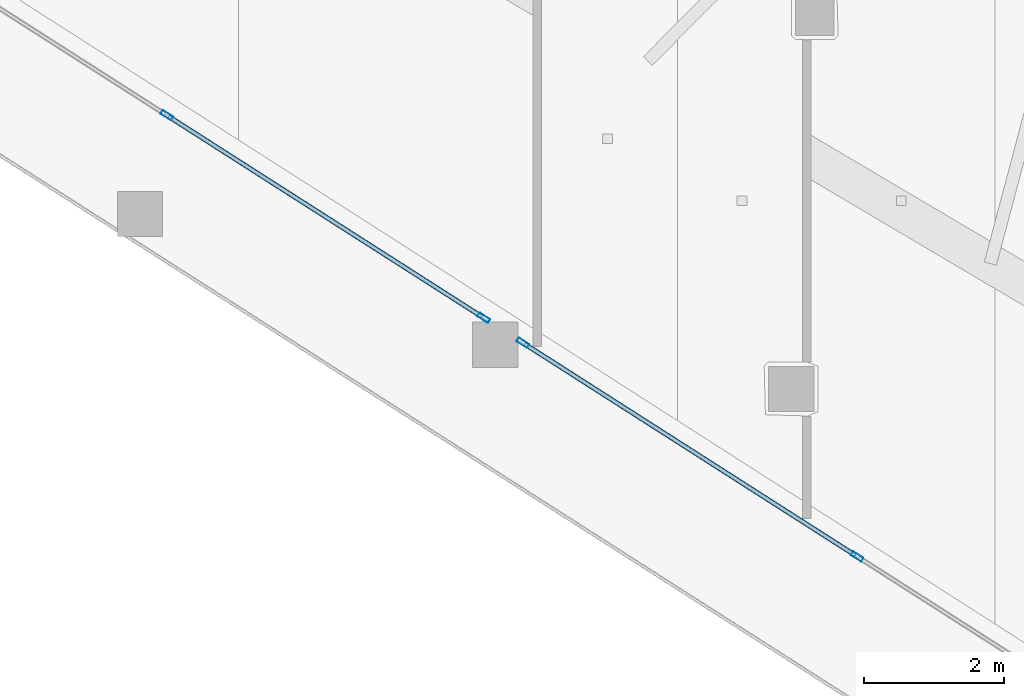
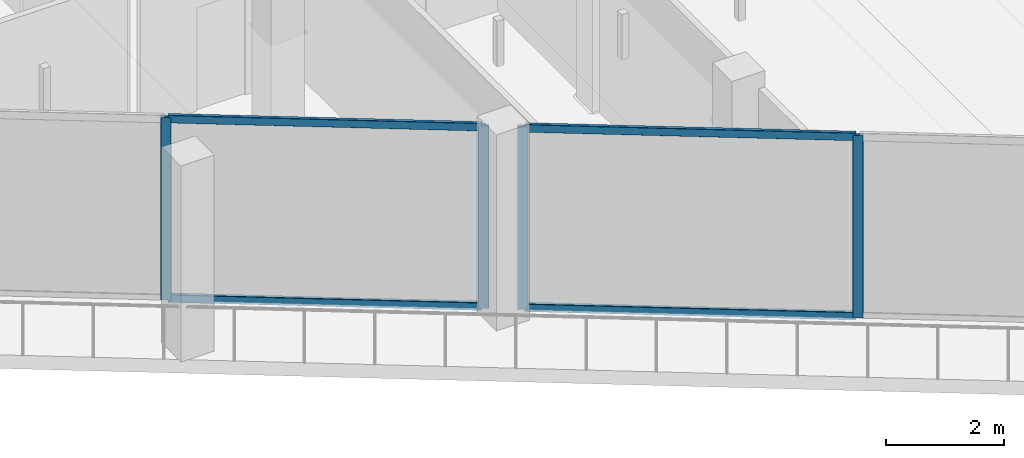
# One storey, part 2 of 45: 8 members, 2 elements without a shape of their own.
"""IFC4 building model written with IfcOpenShell, lengths in metres."""

from ifc_helpers import new_model, si_unit, direction, frame, origin, origin_2d, place, context, subcontext, project, spatial, hollow_rectangle, extrude, material, layer, layer_set, material_profile, profile_set, type_object, element, aggregate, save


model = new_model("IFC4")

# Units and contexts
model_context = context("Model", 3, precision=1e-05, world=origin(), true_north=direction((0.0, 1.0)))
body_context = subcontext(model_context, "Body", "Model", "MODEL_VIEW")
ifc_project = project(units=[si_unit("LENGTHUNIT", "METRE"), si_unit("AREAUNIT", "SQUARE_METRE"), si_unit("VOLUMEUNIT", "CUBIC_METRE"), si_unit("PLANEANGLEUNIT", "RADIAN"), si_unit("MASSUNIT", "GRAM", prefix="KILO")], contexts=[model_context])

# Site, building, storey
site_placement = place(None, origin())
site = spatial("IfcSite", under=ifc_project, at=site_placement, CompositionType="ELEMENT")
building_placement = place(site_placement, origin())
building = spatial("IfcBuilding", under=site, at=building_placement, Name="Qorvath Tower", CompositionType="ELEMENT")
storey_placement = place(building_placement, frame((0.0, 0.0, 109.800048828125)))
storey = spatial("IfcBuildingStorey", under=building, at=storey_placement, Name="L24", CompositionType="ELEMENT", Elevation=109.800048828125)

# Curtain wall, members
ifc_material_1 = material(Name="Anodised aluminium and triple low-E glass", Category="aluminium")
ifc_layer = layer(ifc_material_1, 0.179931640625)
ifc_layer_set = layer_set([ifc_layer], Name="CW-SYS-2")
curtain_wall_type = type_object("IfcCurtainWallType", Name="CW-SYS-2", PredefinedType="NOTDEFINED", material=ifc_layer_set)
curtain_wall_1_placement = place(storey_placement, origin())
curtain_wall_1 = element("IfcCurtainWall", 1, at=curtain_wall_1_placement, inside=storey, type_object=curtain_wall_type, Name="Curtain Wall CW-2 CW-T-L24-2.1", PredefinedType="NOTDEFINED")
ifc_material_2 = material(Name="Anodised aluminium 6063-T6", Category="aluminium")
ifc_material_profile_1 = material_profile(ifc_material_2, hollow_rectangle(XDim=0.06494140625, YDim=0.179931640625, WallThickness=0.00341796875, InnerFilletRadius=0.00341796875, OuterFilletRadius=0.007080078125, at=origin_2d()), Name="CWM 180x65")
ifc_profile_set_1 = profile_set([ifc_material_profile_1], Name="Anodised aluminium 6063-T6")
member_type_1 = type_object("IfcMemberType", Name="CWM-180", PredefinedType="MULLION", material=ifc_profile_set_1)
member_1_placement = place(storey_placement, frame((-39.94775390625, -15.54443359375, 0.0), z_axis=(0.0, 0.0, 1.0), x_axis=(0.538529946269, 0.84260637131, 0.0)))
member_1 = element("IfcMember", 2, at=member_1_placement, type_object=member_type_1, Name="CW-2 mullion 5", PredefinedType="MULLION", context=body_context, shape_type="SweptSolid", body=[
    extrude(hollow_rectangle(XDim=0.06494140625, YDim=0.179931640625, WallThickness=0.00341796875, InnerFilletRadius=0.00341796875, OuterFilletRadius=0.007080078125, at=origin_2d()), origin(), (0.0, 0.0, 1.0), 3.77001953125),
])
member_2_placement = place(storey_placement, frame((-35.414306640625, -18.441650390625, 0.0), z_axis=(0.0, 0.0, 1.0), x_axis=(0.538529946269, 0.84260637131, 0.0)))
member_2 = element("IfcMember", 3, at=member_2_placement, type_object=member_type_1, Name="CW-2 mullion 6", PredefinedType="MULLION", context=body_context, shape_type="SweptSolid", body=[
    extrude(hollow_rectangle(XDim=0.06494140625, YDim=0.179931640625, WallThickness=0.00341796875, InnerFilletRadius=0.00341796875, OuterFilletRadius=0.007080078125, at=origin_2d()), origin(), (0.0, 0.0, 1.0), 3.77001953125),
])

curtain_wall_2_placement = place(storey_placement, origin())
curtain_wall_2 = element("IfcCurtainWall", 4, at=curtain_wall_2_placement, inside=storey, type_object=curtain_wall_type, Name="Curtain Wall CW-2 CW-T-L24-2.2", PredefinedType="NOTDEFINED")
member_3_placement = place(storey_placement, frame((-34.854248046875, -18.7998046875, 0.0), z_axis=(0.0, 0.0, 1.0), x_axis=(0.538538275895, 0.842601047588, 0.0)))
member_3 = element("IfcMember", 5, at=member_3_placement, type_object=member_type_1, Name="CW-2 mullion 1", PredefinedType="MULLION", context=body_context, shape_type="SweptSolid", body=[
    extrude(hollow_rectangle(XDim=0.06494140625, YDim=0.179931640625, WallThickness=0.00341796875, InnerFilletRadius=0.00341796875, OuterFilletRadius=0.007080078125, at=origin_2d()), origin(), (0.0, 0.0, 1.0), 3.77001953125),
])
member_4_placement = place(storey_placement, frame((-30.0712890625, -21.856689453125, 0.0), z_axis=(0.0, 0.0, 1.0), x_axis=(0.538538275895, 0.842601047588, 0.0)))
member_4 = element("IfcMember", 6, at=member_4_placement, type_object=member_type_1, Name="CW-2 mullion 2", PredefinedType="MULLION", context=body_context, shape_type="SweptSolid", body=[
    extrude(hollow_rectangle(XDim=0.06494140625, YDim=0.179931640625, WallThickness=0.00341796875, InnerFilletRadius=0.00341796875, OuterFilletRadius=0.007080078125, at=origin_2d()), origin(), (0.0, 0.0, 1.0), 3.77001953125),
])

# Member
ifc_material_3 = material(Name="Anodised aluminium 6063-T6", Category="aluminium")
ifc_material_profile_2 = material_profile(ifc_material_3, hollow_rectangle(XDim=0.06494140625, YDim=0.159912109375, WallThickness=0.00341796875, InnerFilletRadius=0.00341796875, OuterFilletRadius=0.007080078125, at=origin_2d()), Name="CWT 160x65")
ifc_profile_set_2 = profile_set([ifc_material_profile_2], Name="Anodised aluminium 6063-T6")
member_type_2 = type_object("IfcMemberType", Name="CWT-160", PredefinedType="USERDEFINED", material=ifc_profile_set_2)
member_5_placement = place(storey_placement, frame((-39.92041015625, -15.561767578125, 0.032470703125), z_axis=(0.842600735632, -0.538538763984, 0.0), x_axis=(0.538538763984, 0.842600735632, 0.0)))
member_5 = element("IfcMember", 7, at=member_5_placement, type_object=member_type_2, Name="CW-2 transom 5.1", ObjectType="TRANSOM", PredefinedType="USERDEFINED", context=body_context, shape_type="SweptSolid", body=[
    extrude(hollow_rectangle(XDim=0.06494140625, YDim=0.159912109375, WallThickness=0.00341796875, InnerFilletRadius=0.00341796875, OuterFilletRadius=0.007080078125, at=origin_2d()), origin(), (0.0, 0.0, 1.0), 5.3154296875),
])

member_6_placement = place(storey_placement, frame((-39.92041015625, -15.561767578125, 3.737548828125), z_axis=(0.842600735632, -0.538538763984, 0.0), x_axis=(0.538538763984, 0.842600735632, 0.0)))
member_6 = element("IfcMember", 8, at=member_6_placement, type_object=member_type_2, Name="CW-2 transom 5.2", ObjectType="TRANSOM", PredefinedType="USERDEFINED", context=body_context, shape_type="SweptSolid", body=[
    extrude(hollow_rectangle(XDim=0.06494140625, YDim=0.159912109375, WallThickness=0.00341796875, InnerFilletRadius=0.00341796875, OuterFilletRadius=0.007080078125, at=origin_2d()), origin(), (0.0, 0.0, 1.0), 5.3154296875),
])

aggregate(curtain_wall_1, [member_1, member_2, member_5, member_6])

member_7_placement = place(storey_placement, frame((-34.826904296875, -18.817138671875, 0.032470703125), z_axis=(0.842604679788, -0.538532592885, 0.0), x_axis=(0.538532592885, 0.842604679788, 0.0)))
member_7 = element("IfcMember", 9, at=member_7_placement, type_object=member_type_2, Name="CW-2 transom 1.1", ObjectType="TRANSOM", PredefinedType="USERDEFINED", context=body_context, shape_type="SweptSolid", body=[
    extrude(hollow_rectangle(XDim=0.06494140625, YDim=0.159912109375, WallThickness=0.00341796875, InnerFilletRadius=0.00341796875, OuterFilletRadius=0.007080078125, at=origin_2d()), origin(), (0.0, 0.0, 1.0), 5.611572265625),
])

member_8_placement = place(storey_placement, frame((-34.826904296875, -18.817138671875, 3.737548828125), z_axis=(0.842604679788, -0.538532592885, 0.0), x_axis=(0.538532592885, 0.842604679788, 0.0)))
member_8 = element("IfcMember", 10, at=member_8_placement, type_object=member_type_2, Name="CW-2 transom 1.2", ObjectType="TRANSOM", PredefinedType="USERDEFINED", context=body_context, shape_type="SweptSolid", body=[
    extrude(hollow_rectangle(XDim=0.06494140625, YDim=0.159912109375, WallThickness=0.00341796875, InnerFilletRadius=0.00341796875, OuterFilletRadius=0.007080078125, at=origin_2d()), origin(), (0.0, 0.0, 1.0), 5.611572265625),
])

aggregate(curtain_wall_2, [member_3, member_4, member_7, member_8])

save(model, "model.ifc")
